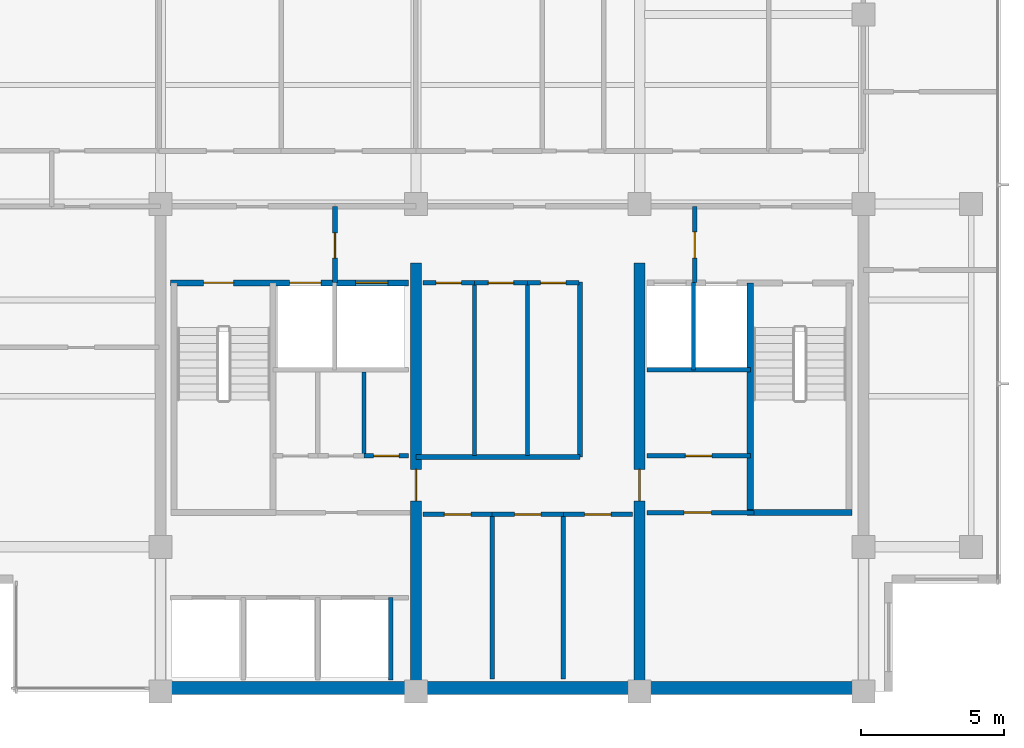
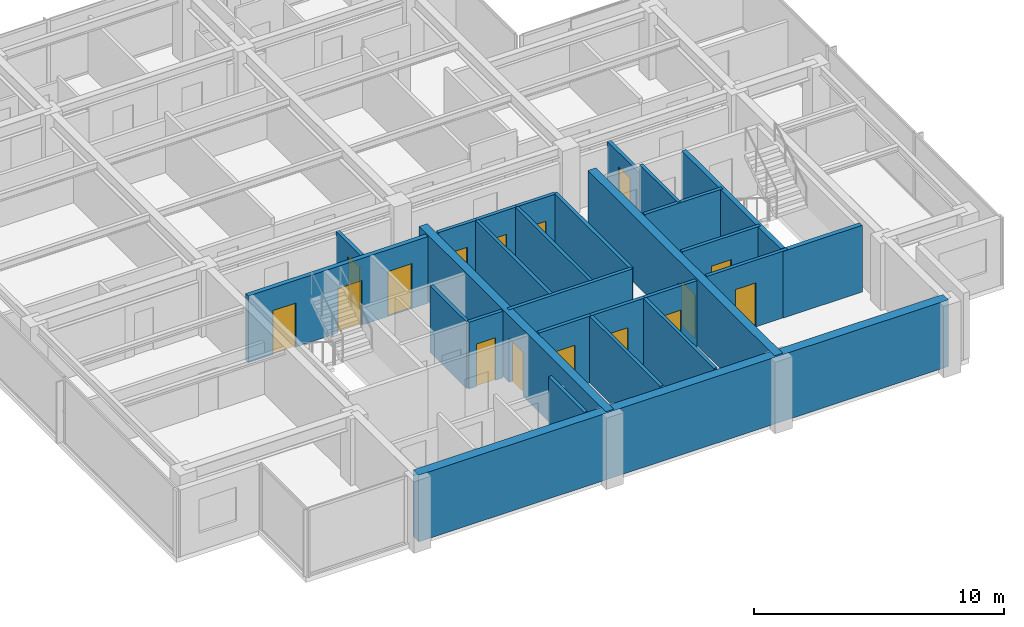
# One storey, part 6 of 12: 27 walls, 16 doors, 16 openings.
"""IFC4 building model written with IfcOpenShell, lengths in metres."""

from ifc_helpers import new_model, si_unit, direction, frame, frame_2d, origin, place, context, subcontext, project, spatial, rectangle, extrude, material, layer, layer_set, type_object, element, fill, save


model = new_model("IFC4")

# Units and contexts
model_context = context("Model", 3, precision=1e-05, world=origin(), true_north=direction((0.0, 1.0)))
body_context = subcontext(model_context, "Body", "Model", "MODEL_VIEW")
ifc_project = project(units=[si_unit("LENGTHUNIT", "METRE"), si_unit("AREAUNIT", "SQUARE_METRE"), si_unit("VOLUMEUNIT", "CUBIC_METRE"), si_unit("PLANEANGLEUNIT", "RADIAN"), si_unit("MASSUNIT", "GRAM", prefix="KILO")], contexts=[model_context])

# Site, building, storey
site_placement = place(None, origin())
site = spatial("IfcSite", under=ifc_project, at=site_placement, CompositionType="ELEMENT")
building_placement = place(site_placement, origin())
building = spatial("IfcBuilding", under=site, at=building_placement, Name="Qalmaran Belvedere Hotel", CompositionType="ELEMENT")
storey_placement = place(building_placement, frame((0.0, 0.0, 252.89990234375)))
storey = spatial("IfcBuildingStorey", under=building, at=storey_placement, Name="L65", CompositionType="ELEMENT", Elevation=252.89990234375)

# Wall, opening, door
ifc_material_1 = material(Name="Concrete C50/60", Category="concrete")
ifc_layer_1 = layer(ifc_material_1, 0.3798828125, Name="Concrete C50/60")
ifc_layer_set_1 = layer_set([ifc_layer_1], Name="Concrete C50/60")
wall_type_1 = type_object("IfcWallType", Name="WL-CORE-380-C50", PredefinedType="SHEAR", material=ifc_layer_set_1)
wall_1_placement = place(storey_placement, frame((29.199951171875, 3.5, 0.0), z_axis=(0.0, 0.0, 1.0), x_axis=(0.0, 1.0, 0.0)))
wall_1 = element("IfcWall", 1, at=wall_1_placement, inside=storey, type_object=wall_type_1, Name="L65 Core West Spine Shear Wall", PredefinedType="SHEAR", context=body_context, shape_type="SweptSolid", body=[
    extrude(rectangle(XDim=14.949951171875, YDim=0.3798828125, at=frame_2d((7.47509765625, 0.0))), origin(), (0.0, 0.0, 1.0), 3.260009765625),
])
opening_1_placement = place(wall_1_placement, frame((7.75, 0.0, 0.0), z_axis=(0.0, 0.0, 1.0), x_axis=(-1.0, 0.0, 0.0)))
opening_1 = element("IfcOpeningElement", 2, at=opening_1_placement, cuts=wall_1, Name="Opening FD90", PredefinedType="OPENING", context=body_context, shape_type="SweptSolid", body=[
    extrude(rectangle(XDim=1.10009765625, YDim=2.14990234375, at=frame_2d((0.550048828125, 1.074951171875))), frame((0.0, 0.199951171875, 0.0), z_axis=(0.0, -1.0, 0.0), x_axis=(1.0, 0.0, 0.0)), (0.0, 0.0, 1.0), 0.39990234375),
])
ifc_material_2 = material(Name="Steel S355JR", Category="steel")
door_type_1 = type_object("IfcDoorType", Name="DR-FD90-1100X2150", OperationType="NOTDEFINED", PredefinedType="DOOR", material=ifc_material_2)
door_1_placement = place(opening_1_placement, origin())
door_1 = element("IfcDoor", 3, at=door_1_placement, inside=storey, type_object=door_type_1, Name="L65 Core West Cross-Lobby Door", OperationType="SINGLE_SWING_LEFT", OverallHeight=2.14990234375, OverallWidth=1.10009765625, PredefinedType="DOOR", context=body_context, shape_type="SweptSolid", body=[
    extrude(rectangle(XDim=1.10009765625, YDim=2.14990234375, at=frame_2d((0.550048828125, 1.074951171875))), frame((0.0, 0.02490234375, 0.0), z_axis=(0.0, -1.0, 0.0), x_axis=(1.0, 0.0, 0.0)), (0.0, 0.0, 1.0), 0.050048828125),
])
fill(opening_1, door_1)

wall_2_placement = place(storey_placement, frame((37.0, 3.5, 0.0), z_axis=(0.0, 0.0, 1.0), x_axis=(0.0, 1.0, 0.0)))
wall_2 = element("IfcWall", 4, at=wall_2_placement, inside=storey, type_object=wall_type_1, Name="L65 Core East Spine Shear Wall", PredefinedType="SHEAR", context=body_context, shape_type="SweptSolid", body=[
    extrude(rectangle(XDim=14.949951171875, YDim=0.3798828125, at=frame_2d((7.47509765625, 0.0))), origin(), (0.0, 0.0, 1.0), 3.260009765625),
])
opening_2_placement = place(wall_2_placement, frame((6.64990234375, 0.0, 0.0)))
opening_2 = element("IfcOpeningElement", 5, at=opening_2_placement, cuts=wall_2, Name="Opening FD90", PredefinedType="OPENING", context=body_context, shape_type="SweptSolid", body=[
    extrude(rectangle(XDim=1.10009765625, YDim=2.14990234375, at=frame_2d((0.550048828125, 1.074951171875))), frame((0.0, 0.199951171875, 0.0), z_axis=(0.0, -1.0, 0.0), x_axis=(1.0, 0.0, 0.0)), (0.0, 0.0, 1.0), 0.39990234375),
])
door_2_placement = place(opening_2_placement, origin())
door_2 = element("IfcDoor", 6, at=door_2_placement, inside=storey, type_object=door_type_1, Name="L65 Core East Cross-Lobby Door", OperationType="SINGLE_SWING_RIGHT", OverallHeight=2.14990234375, OverallWidth=1.10009765625, PredefinedType="DOOR", context=body_context, shape_type="SweptSolid", body=[
    extrude(rectangle(XDim=1.10009765625, YDim=2.14990234375, at=frame_2d((0.550048828125, 1.074951171875))), frame((0.0, 0.02490234375, 0.0), z_axis=(0.0, -1.0, 0.0), x_axis=(1.0, 0.0, 0.0)), (0.0, 0.0, 1.0), 0.050048828125),
])
fill(opening_2, door_2)

# Walls
ifc_layer_2 = layer(ifc_material_1, 0.43994140625, Name="Concrete C50/60")
ifc_layer_set_2 = layer_set([ifc_layer_2], Name="Concrete C50/60")
wall_type_2 = type_object("IfcWallType", Name="WL-CORES-440-EXT", PredefinedType="SHEAR", material=ifc_layer_set_2)
wall_3_placement = place(storey_placement, frame((20.300048828125, 3.6298828125, 0.0), z_axis=(0.0, 0.0, 1.0), x_axis=(1.0, 0.0, 0.0)))
element("IfcWall", 7, at=wall_3_placement, inside=storey, type_object=wall_type_2, Name="L65 South Core Shear Wall", PredefinedType="SHEAR", context=body_context, shape_type="SweptSolid", body=[
    extrude(rectangle(XDim=24.5, YDim=0.43994140625, at=frame_2d((12.25, 0.0))), origin(), (0.0, 0.0, 1.0), 3.260009765625),
])
ifc_material_3 = material(Name="Gypsum Stud Partition")
ifc_layer_3 = layer(ifc_material_3, 0.14990234375, Name="Gypsum Stud Partition")
ifc_layer_set_3 = layer_set([ifc_layer_3], Name="Gypsum Stud Partition")
wall_type_3 = type_object("IfcWallType", Name="WL-INT-150-EI120", PredefinedType="PARTITIONING", material=ifc_layer_set_3)
wall_4_placement = place(storey_placement, frame((38.8798828125, 14.719970703125, 0.0), z_axis=(0.0, 0.0, 1.0), x_axis=(0.0, 1.0, 0.0)))
element("IfcWall", 8, at=wall_4_placement, inside=storey, type_object=wall_type_3, Name="L65 Partition WL-FF2M-L65", PredefinedType="PARTITIONING", context=body_context, shape_type="SweptSolid", body=[
    extrude(rectangle(XDim=3.0400390625, YDim=0.14990234375, at=frame_2d((1.52001953125, 0.0))), origin(), (0.0, 0.0, 1.0), 3.260009765625),
])
wall_5_placement = place(storey_placement, frame((28.320068359375, 3.89990234375, 0.0), z_axis=(0.0, 0.0, 1.0), x_axis=(0.0, 1.0, 0.0)))
element("IfcWall", 9, at=wall_5_placement, inside=storey, type_object=wall_type_3, Name="L65 Partition WL-POM3-L65", PredefinedType="PARTITIONING", context=body_context, shape_type="SweptSolid", body=[
    extrude(rectangle(XDim=2.880126953125, YDim=0.14990234375, at=frame_2d((1.43994140625, 0.0))), origin(), (0.0, 0.0, 1.0), 3.260009765625),
])
ifc_layer_4 = layer(ifc_material_3, 0.14990234375, Name="Gypsum Stud Partition")
ifc_layer_set_4 = layer_set([ifc_layer_4], Name="Gypsum Stud Partition")
wall_type_4 = type_object("IfcWallType", Name="WL-INT-150-EI60", PredefinedType="PARTITIONING", material=ifc_layer_set_4)
wall_6_placement = place(storey_placement, frame((27.38916015625, 11.719970703125, 0.0), z_axis=(0.0, 0.0, 1.0), x_axis=(0.0, 1.0, 0.0)))
element("IfcWall", 10, at=wall_6_placement, inside=storey, type_object=wall_type_4, Name="L65 Partition WL-L65-KWV2", PredefinedType="PARTITIONING", context=body_context, shape_type="SweptSolid", body=[
    extrude(rectangle(XDim=2.929931640625, YDim=0.14990234375, at=frame_2d((1.46484375, 0.0))), origin(), (0.0, 0.0, 1.0), 3.260009765625),
])
for number, where, z_axis, x_axis, name in (
    (11, (31.85888671875, 3.949951171875, 0.0), (0.0, 0.0, 1.0), (0.0, 1.0, 0.0), "L65 Partition WL-L65-KPLV1"),
    (12, (34.341064453125, 3.949951171875, 0.0), (0.0, 0.0, 1.0), (0.0, 1.0, 0.0), "L65 Partition WL-L65-KPLV2"),
):
    element("IfcWall", number, at=place(storey_placement, frame(where, z_axis=z_axis, x_axis=x_axis)), inside=storey, type_object=wall_type_4, Name=name, PredefinedType="PARTITIONING", context=body_context, shape_type="SweptSolid", body=[
        extrude(rectangle(XDim=5.72998046875, YDim=0.14990234375, at=frame_2d((2.864990234375, 0.0))), origin(), (0.0, 0.0, 1.0), 3.260009765625),
    ])
for number, where, z_axis, x_axis, name in (
    (13, (31.241943359375, 11.739990234375, 0.0), (0.0, 0.0, 1.0), (0.0, 1.0, 0.0), "L65 Partition WL-L65-KPMV1"),
    (14, (33.088134765625, 11.739990234375, 0.0), (0.0, 0.0, 1.0), (0.0, 1.0, 0.0), "L65 Partition WL-L65-KPMV2"),
):
    element("IfcWall", number, at=place(storey_placement, frame(where, z_axis=z_axis, x_axis=x_axis)), inside=storey, type_object=wall_type_4, Name=name, PredefinedType="PARTITIONING", context=body_context, shape_type="SweptSolid", body=[
        extrude(rectangle(XDim=6.010009765625, YDim=0.14990234375, at=frame_2d((3.0048828125, 0.0))), origin(), (0.0, 0.0, 1.0), 3.260009765625),
    ])

# Wall, opening, door
ifc_layer_5 = layer(ifc_material_3, 0.159912109375, Name="Gypsum Stud Partition")
ifc_layer_set_5 = layer_set([ifc_layer_5], Name="Gypsum Stud Partition")
wall_type_5 = type_object("IfcWallType", Name="WL-INT-160-EI120", PredefinedType="PARTITIONING", material=ifc_layer_set_5)
wall_7_placement = place(storey_placement, frame((26.3798828125, 17.760009765625, 0.0), z_axis=(0.0, 0.0, 1.0), x_axis=(0.0, 1.0, 0.0)))
wall_7 = element("IfcWall", 15, at=wall_7_placement, inside=storey, type_object=wall_type_5, Name="L65 Partition WL-FFSV1-L65", PredefinedType="PARTITIONING", context=body_context, shape_type="SweptSolid", body=[
    extrude(rectangle(XDim=2.659912109375, YDim=0.159912109375, at=frame_2d((1.330078125, 0.0))), origin(), (0.0, 0.0, 1.0), 2.781982421875),
])
opening_3_placement = place(wall_7_placement, frame((0.85009765625, 0.0, 0.0)))
opening_3 = element("IfcOpeningElement", 16, at=opening_3_placement, cuts=wall_7, Name="Opening FD60B", PredefinedType="OPENING", context=body_context, shape_type="SweptSolid", body=[
    extrude(rectangle(XDim=0.8798828125, YDim=2.080078125, at=frame_2d((0.43994140625, 1.0400390625))), frame((0.0, 0.08984375, 0.0), z_axis=(0.0, -1.0, 0.0), x_axis=(1.0, 0.0, 0.0)), (0.0, 0.0, 1.0), 0.179931640625),
])
door_type_2 = type_object("IfcDoorType", Name="DR-FD60B-880X2080", OperationType="NOTDEFINED", PredefinedType="DOOR", material=ifc_material_2)
door_3_placement = place(opening_3_placement, origin())
door_3 = element("IfcDoor", 17, at=door_3_placement, inside=storey, type_object=door_type_2, Name="L65 Service Lobby West Door", OperationType="SINGLE_SWING_LEFT", OverallHeight=2.080078125, OverallWidth=0.8798828125, PredefinedType="DOOR", context=body_context, shape_type="SweptSolid", body=[
    extrude(rectangle(XDim=0.8798828125, YDim=2.080078125, at=frame_2d((0.43994140625, 1.0400390625))), frame((0.0, 0.02490234375, 0.0), z_axis=(0.0, -1.0, 0.0), x_axis=(1.0, 0.0, 0.0)), (0.0, 0.0, 1.0), 0.050048828125),
])
fill(opening_3, door_3)

wall_8_placement = place(storey_placement, frame((38.919921875, 17.760009765625, 0.0), z_axis=(0.0, 0.0, 1.0), x_axis=(0.0, 1.0, 0.0)))
wall_8 = element("IfcWall", 18, at=wall_8_placement, inside=storey, type_object=wall_type_5, Name="L65 Partition WL-FFSV2-L65", PredefinedType="PARTITIONING", context=body_context, shape_type="SweptSolid", body=[
    extrude(rectangle(XDim=2.659912109375, YDim=0.159912109375, at=frame_2d((1.330078125, 0.0))), origin(), (0.0, 0.0, 1.0), 2.781982421875),
])
opening_4_placement = place(wall_8_placement, frame((1.77001953125, 0.0, 0.0), z_axis=(0.0, 0.0, 1.0), x_axis=(-1.0, 0.0, 0.0)))
opening_4 = element("IfcOpeningElement", 19, at=opening_4_placement, cuts=wall_8, Name="Opening FD60S1", PredefinedType="OPENING", context=body_context, shape_type="SweptSolid", body=[
    extrude(rectangle(XDim=0.919921875, YDim=2.080078125, at=frame_2d((0.4599609375, 1.0400390625))), frame((0.0, 0.08984375, 0.0), z_axis=(0.0, -1.0, 0.0), x_axis=(1.0, 0.0, 0.0)), (0.0, 0.0, 1.0), 0.179931640625),
])
ifc_material_4 = material(Name="Engineered Oak Veneer")
door_type_3 = type_object("IfcDoorType", Name="DR-FD60S-920X2080", OperationType="NOTDEFINED", PredefinedType="DOOR", material=ifc_material_4)
door_4_placement = place(opening_4_placement, origin())
door_4 = element("IfcDoor", 20, at=door_4_placement, inside=storey, type_object=door_type_3, Name="L65 Service Lobby East Door", OperationType="SINGLE_SWING_RIGHT", OverallHeight=2.080078125, OverallWidth=0.919921875, PredefinedType="DOOR", context=body_context, shape_type="SweptSolid", body=[
    extrude(rectangle(XDim=0.919921875, YDim=2.080078125, at=frame_2d((0.4599609375, 1.0400390625))), frame((0.0, 0.02490234375, 0.0), z_axis=(0.0, -1.0, 0.0), x_axis=(1.0, 0.0, 0.0)), (0.0, 0.0, 1.0), 0.050048828125),
])
fill(opening_4, door_4)

# Wall
wall_9_placement = place(storey_placement, frame((37.25, 14.719970703125, 0.0), z_axis=(0.0, 0.0, 1.0), x_axis=(1.0, 0.0, 0.0)))
element("IfcWall", 21, at=wall_9_placement, inside=storey, type_object=wall_type_5, Name="L65 Partition WL-FF2S-L65", PredefinedType="PARTITIONING", context=body_context, shape_type="SweptSolid", body=[
    extrude(rectangle(XDim=3.610107421875, YDim=0.159912109375, at=frame_2d((1.80517578125, 0.0))), origin(), (0.0, 0.0, 1.0), 3.260009765625),
])

# Wall, opening, door
ifc_layer_6 = layer(ifc_material_3, 0.159912109375, Name="Gypsum Stud Partition")
ifc_layer_set_6 = layer_set([ifc_layer_6], Name="Gypsum Stud Partition")
wall_type_6 = type_object("IfcWallType", Name="WL-INT-160-EI60", PredefinedType="PARTITIONING", material=ifc_layer_set_6)
wall_10_placement = place(storey_placement, frame((27.38916015625, 11.719970703125, 0.0), z_axis=(0.0, 0.0, 1.0), x_axis=(1.0, 0.0, 0.0)))
wall_10 = element("IfcWall", 22, at=wall_10_placement, inside=storey, type_object=wall_type_6, Name="L65 Partition WL-L65-KWE3", PredefinedType="PARTITIONING", context=body_context, shape_type="SweptSolid", body=[
    extrude(rectangle(XDim=1.560791015625, YDim=0.159912109375, at=frame_2d((0.7802734375, 0.0))), origin(), (0.0, 0.0, 1.0), 3.260009765625),
])
opening_5_placement = place(wall_10_placement, frame((0.340576171875, 0.0, 0.0)))
opening_5 = element("IfcOpeningElement", 23, at=opening_5_placement, cuts=wall_10, Name="Opening FD60B", PredefinedType="OPENING", context=body_context, shape_type="SweptSolid", body=[
    extrude(rectangle(XDim=0.8798828125, YDim=2.080078125, at=frame_2d((0.43994140625, 1.0400390625))), frame((0.0, 0.08984375, 0.0), z_axis=(0.0, -1.0, 0.0), x_axis=(1.0, 0.0, 0.0)), (0.0, 0.0, 1.0), 0.179931640625),
])
door_5_placement = place(opening_5_placement, origin())
door_5 = element("IfcDoor", 24, at=door_5_placement, inside=storey, type_object=door_type_2, Name="L65 Telecom and IT Room Door", OperationType="SINGLE_SWING_RIGHT", OverallHeight=2.080078125, OverallWidth=0.8798828125, PredefinedType="DOOR", context=body_context, shape_type="SweptSolid", body=[
    extrude(rectangle(XDim=0.8798828125, YDim=2.080078125, at=frame_2d((0.43994140625, 1.0400390625))), frame((0.0, 0.02490234375, 0.0), z_axis=(0.0, -1.0, 0.0), x_axis=(1.0, 0.0, 0.0)), (0.0, 0.0, 1.0), 0.050048828125),
])
fill(opening_5, door_5)

wall_11_placement = place(storey_placement, frame((37.25, 11.719970703125, 0.0), z_axis=(0.0, 0.0, 1.0), x_axis=(1.0, 0.0, 0.0)))
wall_11 = element("IfcWall", 25, at=wall_11_placement, inside=storey, type_object=wall_type_6, Name="L65 Partition WL-L65-KEE1", PredefinedType="PARTITIONING", context=body_context, shape_type="SweptSolid", body=[
    extrude(rectangle(XDim=3.610107421875, YDim=0.159912109375, at=frame_2d((1.80517578125, 0.0))), origin(), (0.0, 0.0, 1.0), 3.260009765625),
])
opening_6_placement = place(wall_11_placement, frame((1.344970703125, 0.0, 0.0)))
opening_6 = element("IfcOpeningElement", 26, at=opening_6_placement, cuts=wall_11, Name="Opening FD60S1", PredefinedType="OPENING", context=body_context, shape_type="SweptSolid", body=[
    extrude(rectangle(XDim=0.919921875, YDim=2.080078125, at=frame_2d((0.4599609375, 1.0400390625))), frame((0.0, 0.08984375, 0.0), z_axis=(0.0, -1.0, 0.0), x_axis=(1.0, 0.0, 0.0)), (0.0, 0.0, 1.0), 0.179931640625),
])
door_6_placement = place(opening_6_placement, origin())
door_6 = element("IfcDoor", 27, at=door_6_placement, inside=storey, type_object=door_type_3, Name="L65 Guest Ice and Beverage Pantry Door", OperationType="SINGLE_SWING_LEFT", OverallHeight=2.080078125, OverallWidth=0.919921875, PredefinedType="DOOR", context=body_context, shape_type="SweptSolid", body=[
    extrude(rectangle(XDim=0.919921875, YDim=2.080078125, at=frame_2d((0.4599609375, 1.0400390625))), frame((0.0, 0.02490234375, 0.0), z_axis=(0.0, -1.0, 0.0), x_axis=(1.0, 0.0, 0.0)), (0.0, 0.0, 1.0), 0.050048828125),
])
fill(opening_6, door_6)

wall_12_placement = place(storey_placement, frame((37.25, 9.739990234375, 0.0), z_axis=(0.0, 0.0, 1.0), x_axis=(1.0, 0.0, 0.0)))
wall_12 = element("IfcWall", 28, at=wall_12_placement, inside=storey, type_object=wall_type_6, Name="L65 Partition WL-PHFR-L65", PredefinedType="PARTITIONING", context=body_context, shape_type="SweptSolid", body=[
    extrude(rectangle(XDim=3.72998046875, YDim=0.159912109375, at=frame_2d((1.864990234375, 0.0))), origin(), (0.0, 0.0, 1.0), 3.260009765625),
])
opening_7_placement = place(wall_12_placement, frame((2.25, 0.0, 0.0), z_axis=(0.0, 0.0, 1.0), x_axis=(-1.0, 0.0, 0.0)))
opening_7 = element("IfcOpeningElement", 29, at=opening_7_placement, cuts=wall_12, Name="Opening FD60", PredefinedType="OPENING", context=body_context, shape_type="SweptSolid", body=[
    extrude(rectangle(XDim=0.949951171875, YDim=2.14990234375, at=frame_2d((0.47509765625, 1.074951171875))), frame((0.0, 0.08984375, 0.0), z_axis=(0.0, -1.0, 0.0), x_axis=(1.0, 0.0, 0.0)), (0.0, 0.0, 1.0), 0.179931640625),
])
door_type_4 = type_object("IfcDoorType", Name="DR-FD60-950X2150", OperationType="NOTDEFINED", PredefinedType="DOOR", material=ifc_material_4)
door_7_placement = place(opening_7_placement, origin())
door_7 = element("IfcDoor", 30, at=door_7_placement, inside=storey, type_object=door_type_4, Name="L65 Freed PH Room Door", OperationType="SINGLE_SWING_LEFT", OverallHeight=2.14990234375, OverallWidth=0.949951171875, PredefinedType="DOOR", context=body_context, shape_type="SweptSolid", body=[
    extrude(rectangle(XDim=0.949951171875, YDim=2.14990234375, at=frame_2d((0.47509765625, 1.074951171875))), frame((0.0, 0.02490234375, 0.0), z_axis=(0.0, -1.0, 0.0), x_axis=(1.0, 0.0, 0.0)), (0.0, 0.0, 1.0), 0.050048828125),
])
fill(opening_7, door_7)

# Wall
wall_13_placement = place(storey_placement, frame((34.919921875, 11.679931640625, 0.0), z_axis=(0.0, 0.0, 1.0), x_axis=(0.0, 1.0, 0.0)))
element("IfcWall", 31, at=wall_13_placement, inside=storey, type_object=wall_type_6, Name="L65 Partition WL-CLLV-L65", PredefinedType="PARTITIONING", context=body_context, shape_type="SweptSolid", body=[
    extrude(rectangle(XDim=6.10009765625, YDim=0.159912109375, at=frame_2d((3.050048828125, 0.0))), origin(), (0.0, 0.0, 1.0), 3.260009765625),
])

# Wall, opening, door
wall_14_placement = place(storey_placement, frame((29.449951171875, 9.679931640625, 0.0), z_axis=(0.0, 0.0, 1.0), x_axis=(1.0, 0.0, 0.0)))
wall_14 = element("IfcWall", 32, at=wall_14_placement, inside=storey, type_object=wall_type_6, Name="L65 Partition WL-L65-KPLE1", PredefinedType="PARTITIONING", context=body_context, shape_type="SweptSolid", body=[
    extrude(rectangle(XDim=2.408935546875, YDim=0.159912109375, at=frame_2d((1.20458984375, 0.0))), origin(), (0.0, 0.0, 1.0), 3.260009765625),
])
opening_8_placement = place(wall_14_placement, frame((1.664306640625, 0.0, 0.0), z_axis=(0.0, 0.0, 1.0), x_axis=(-1.0, 0.0, 0.0)))
opening_8 = element("IfcOpeningElement", 33, at=opening_8_placement, cuts=wall_14, Name="Opening FD60S1", PredefinedType="OPENING", context=body_context, shape_type="SweptSolid", body=[
    extrude(rectangle(XDim=0.919921875, YDim=2.080078125, at=frame_2d((0.4599609375, 1.0400390625))), frame((0.0, 0.08984375, 0.0), z_axis=(0.0, -1.0, 0.0), x_axis=(1.0, 0.0, 0.0)), (0.0, 0.0, 1.0), 0.179931640625),
])
door_8_placement = place(opening_8_placement, origin())
door_8 = element("IfcDoor", 34, at=door_8_placement, inside=storey, type_object=door_type_3, Name="L65 Housekeeping and Linen Room Door", OperationType="SINGLE_SWING_RIGHT", OverallHeight=2.080078125, OverallWidth=0.919921875, PredefinedType="DOOR", context=body_context, shape_type="SweptSolid", body=[
    extrude(rectangle(XDim=0.919921875, YDim=2.080078125, at=frame_2d((0.4599609375, 1.0400390625))), frame((0.0, 0.02490234375, 0.0), z_axis=(0.0, -1.0, 0.0), x_axis=(1.0, 0.0, 0.0)), (0.0, 0.0, 1.0), 0.050048828125),
])
fill(opening_8, door_8)

wall_15_placement = place(storey_placement, frame((31.85888671875, 9.679931640625, 0.0), z_axis=(0.0, 0.0, 1.0), x_axis=(1.0, 0.0, 0.0)))
wall_15 = element("IfcWall", 35, at=wall_15_placement, inside=storey, type_object=wall_type_6, Name="L65 Partition WL-L65-KPLE2", PredefinedType="PARTITIONING", context=body_context, shape_type="SweptSolid", body=[
    extrude(rectangle(XDim=2.482177734375, YDim=0.159912109375, at=frame_2d((1.2412109375, 0.0))), origin(), (0.0, 0.0, 1.0), 3.260009765625),
])
opening_9_placement = place(wall_15_placement, frame((1.700927734375, 0.0, 0.0), z_axis=(0.0, 0.0, 1.0), x_axis=(-1.0, 0.0, 0.0)))
opening_9 = element("IfcOpeningElement", 36, at=opening_9_placement, cuts=wall_15, Name="Opening FD60S1", PredefinedType="OPENING", context=body_context, shape_type="SweptSolid", body=[
    extrude(rectangle(XDim=0.919921875, YDim=2.080078125, at=frame_2d((0.4599609375, 1.0400390625))), frame((0.0, 0.08984375, 0.0), z_axis=(0.0, -1.0, 0.0), x_axis=(1.0, 0.0, 0.0)), (0.0, 0.0, 1.0), 0.179931640625),
])
door_9_placement = place(opening_9_placement, origin())
door_9 = element("IfcDoor", 37, at=door_9_placement, inside=storey, type_object=door_type_3, Name="L65 Hotel Butler Service Pantry Door", OperationType="SINGLE_SWING_LEFT", OverallHeight=2.080078125, OverallWidth=0.919921875, PredefinedType="DOOR", context=body_context, shape_type="SweptSolid", body=[
    extrude(rectangle(XDim=0.919921875, YDim=2.080078125, at=frame_2d((0.4599609375, 1.0400390625))), frame((0.0, 0.02490234375, 0.0), z_axis=(0.0, -1.0, 0.0), x_axis=(1.0, 0.0, 0.0)), (0.0, 0.0, 1.0), 0.050048828125),
])
fill(opening_9, door_9)

wall_16_placement = place(storey_placement, frame((34.341064453125, 9.679931640625, 0.0), z_axis=(0.0, 0.0, 1.0), x_axis=(1.0, 0.0, 0.0)))
wall_16 = element("IfcWall", 38, at=wall_16_placement, inside=storey, type_object=wall_type_6, Name="L65 Partition WL-L65-KPLE3", PredefinedType="PARTITIONING", context=body_context, shape_type="SweptSolid", body=[
    extrude(rectangle(XDim=2.408935546875, YDim=0.159912109375, at=frame_2d((1.20458984375, 0.0))), origin(), (0.0, 0.0, 1.0), 3.260009765625),
])
opening_10_placement = place(wall_16_placement, frame((1.664306640625, 0.0, 0.0), z_axis=(0.0, 0.0, 1.0), x_axis=(-1.0, 0.0, 0.0)))
opening_10 = element("IfcOpeningElement", 39, at=opening_10_placement, cuts=wall_16, Name="Opening FD60S1", PredefinedType="OPENING", context=body_context, shape_type="SweptSolid", body=[
    extrude(rectangle(XDim=0.919921875, YDim=2.080078125, at=frame_2d((0.4599609375, 1.0400390625))), frame((0.0, 0.08984375, 0.0), z_axis=(0.0, -1.0, 0.0), x_axis=(1.0, 0.0, 0.0)), (0.0, 0.0, 1.0), 0.179931640625),
])
door_10_placement = place(opening_10_placement, origin())
door_10 = element("IfcDoor", 40, at=door_10_placement, inside=storey, type_object=door_type_3, Name="L65 Guest Valet Supply Store Door", OperationType="SINGLE_SWING_RIGHT", OverallHeight=2.080078125, OverallWidth=0.919921875, PredefinedType="DOOR", context=body_context, shape_type="SweptSolid", body=[
    extrude(rectangle(XDim=0.919921875, YDim=2.080078125, at=frame_2d((0.4599609375, 1.0400390625))), frame((0.0, 0.02490234375, 0.0), z_axis=(0.0, -1.0, 0.0), x_axis=(1.0, 0.0, 0.0)), (0.0, 0.0, 1.0), 0.050048828125),
])
fill(opening_10, door_10)

# Wall
wall_17_placement = place(storey_placement, frame((29.199951171875, 11.679931640625, 0.0), z_axis=(0.0, 0.0, 1.0), x_axis=(1.0, 0.0, 0.0)))
element("IfcWall", 41, at=wall_17_placement, inside=storey, type_object=wall_type_6, Name="L65 Partition WL-PMFS-L65", PredefinedType="PARTITIONING", context=body_context, shape_type="SweptSolid", body=[
    extrude(rectangle(XDim=5.719970703125, YDim=0.159912109375, at=frame_2d((2.85986328125, 0.0))), origin(), (0.0, 0.0, 1.0), 3.260009765625),
])

# Wall, opening, door
wall_18_placement = place(storey_placement, frame((29.449951171875, 17.75, 0.0), z_axis=(0.0, 0.0, 1.0), x_axis=(1.0, 0.0, 0.0)))
wall_18 = element("IfcWall", 42, at=wall_18_placement, inside=storey, type_object=wall_type_6, Name="L65 Partition WL-L65-KPME1", PredefinedType="PARTITIONING", context=body_context, shape_type="SweptSolid", body=[
    extrude(rectangle(XDim=1.7919921875, YDim=0.159912109375, at=frame_2d((0.89599609375, 0.0))), origin(), (0.0, 0.0, 1.0), 3.260009765625),
])
opening_11_placement = place(wall_18_placement, frame((1.3359375, 0.0, 0.0), z_axis=(0.0, 0.0, 1.0), x_axis=(-1.0, 0.0, 0.0)))
opening_11 = element("IfcOpeningElement", 43, at=opening_11_placement, cuts=wall_18, Name="Opening FD60B", PredefinedType="OPENING", context=body_context, shape_type="SweptSolid", body=[
    extrude(rectangle(XDim=0.8798828125, YDim=2.080078125, at=frame_2d((0.43994140625, 1.0400390625))), frame((0.0, 0.08984375, 0.0), z_axis=(0.0, -1.0, 0.0), x_axis=(1.0, 0.0, 0.0)), (0.0, 0.0, 1.0), 0.179931640625),
])
door_11_placement = place(opening_11_placement, origin())
door_11 = element("IfcDoor", 44, at=door_11_placement, inside=storey, type_object=door_type_2, Name="L65 Executive Butler Pantry Door", OperationType="SINGLE_SWING_LEFT", OverallHeight=2.080078125, OverallWidth=0.8798828125, PredefinedType="DOOR", context=body_context, shape_type="SweptSolid", body=[
    extrude(rectangle(XDim=0.8798828125, YDim=2.080078125, at=frame_2d((0.43994140625, 1.0400390625))), frame((0.0, 0.02490234375, 0.0), z_axis=(0.0, -1.0, 0.0), x_axis=(1.0, 0.0, 0.0)), (0.0, 0.0, 1.0), 0.050048828125),
])
fill(opening_11, door_11)

wall_19_placement = place(storey_placement, frame((31.241943359375, 17.75, 0.0), z_axis=(0.0, 0.0, 1.0), x_axis=(1.0, 0.0, 0.0)))
wall_19 = element("IfcWall", 45, at=wall_19_placement, inside=storey, type_object=wall_type_6, Name="L65 Partition WL-L65-KPME2", PredefinedType="PARTITIONING", context=body_context, shape_type="SweptSolid", body=[
    extrude(rectangle(XDim=1.84619140625, YDim=0.159912109375, at=frame_2d((0.923095703125, 0.0))), origin(), (0.0, 0.0, 1.0), 3.260009765625),
])
opening_12_placement = place(wall_19_placement, frame((1.363037109375, 0.0, 0.0), z_axis=(0.0, 0.0, 1.0), x_axis=(-1.0, 0.0, 0.0)))
opening_12 = element("IfcOpeningElement", 46, at=opening_12_placement, cuts=wall_19, Name="Opening FD60B", PredefinedType="OPENING", context=body_context, shape_type="SweptSolid", body=[
    extrude(rectangle(XDim=0.8798828125, YDim=2.080078125, at=frame_2d((0.43994140625, 1.0400390625))), frame((0.0, 0.08984375, 0.0), z_axis=(0.0, -1.0, 0.0), x_axis=(1.0, 0.0, 0.0)), (0.0, 0.0, 1.0), 0.179931640625),
])
door_12_placement = place(opening_12_placement, origin())
door_12 = element("IfcDoor", 47, at=door_12_placement, inside=storey, type_object=door_type_2, Name="L65 Floor Linen Supply Store Door", OperationType="SINGLE_SWING_RIGHT", OverallHeight=2.080078125, OverallWidth=0.8798828125, PredefinedType="DOOR", context=body_context, shape_type="SweptSolid", body=[
    extrude(rectangle(XDim=0.8798828125, YDim=2.080078125, at=frame_2d((0.43994140625, 1.0400390625))), frame((0.0, 0.02490234375, 0.0), z_axis=(0.0, -1.0, 0.0), x_axis=(1.0, 0.0, 0.0)), (0.0, 0.0, 1.0), 0.050048828125),
])
fill(opening_12, door_12)

wall_20_placement = place(storey_placement, frame((33.088134765625, 17.75, 0.0), z_axis=(0.0, 0.0, 1.0), x_axis=(1.0, 0.0, 0.0)))
wall_20 = element("IfcWall", 48, at=wall_20_placement, inside=storey, type_object=wall_type_6, Name="L65 Partition WL-L65-KPME3", PredefinedType="PARTITIONING", context=body_context, shape_type="SweptSolid", body=[
    extrude(rectangle(XDim=1.791748046875, YDim=0.159912109375, at=frame_2d((0.89599609375, 0.0))), origin(), (0.0, 0.0, 1.0), 3.260009765625),
])
opening_13_placement = place(wall_20_placement, frame((1.3359375, 0.0, 0.0), z_axis=(0.0, 0.0, 1.0), x_axis=(-1.0, 0.0, 0.0)))
opening_13 = element("IfcOpeningElement", 49, at=opening_13_placement, cuts=wall_20, Name="Opening FD60B", PredefinedType="OPENING", context=body_context, shape_type="SweptSolid", body=[
    extrude(rectangle(XDim=0.8798828125, YDim=2.080078125, at=frame_2d((0.43994140625, 1.0400390625))), frame((0.0, 0.08984375, 0.0), z_axis=(0.0, -1.0, 0.0), x_axis=(1.0, 0.0, 0.0)), (0.0, 0.0, 1.0), 0.179931640625),
])
door_13_placement = place(opening_13_placement, origin())
door_13 = element("IfcDoor", 50, at=door_13_placement, inside=storey, type_object=door_type_2, Name="L65 Core Tableware Store Door", OperationType="SINGLE_SWING_LEFT", OverallHeight=2.080078125, OverallWidth=0.8798828125, PredefinedType="DOOR", context=body_context, shape_type="SweptSolid", body=[
    extrude(rectangle(XDim=0.8798828125, YDim=2.080078125, at=frame_2d((0.43994140625, 1.0400390625))), frame((0.0, 0.02490234375, 0.0), z_axis=(0.0, -1.0, 0.0), x_axis=(1.0, 0.0, 0.0)), (0.0, 0.0, 1.0), 0.050048828125),
])
fill(opening_13, door_13)

# Wall, openings, doors
ifc_layer_7 = layer(ifc_material_1, 0.2099609375, Name="Concrete C50/60")
ifc_layer_set_7 = layer_set([ifc_layer_7], Name="Concrete C50/60")
wall_type_7 = type_object("IfcWallType", Name="WL-STAIR-210-C50", PredefinedType="SHEAR", material=ifc_layer_set_7)
wall_21_placement = place(storey_placement, frame((20.64990234375, 17.7548828125, 0.0), z_axis=(0.0, 0.0, 1.0), x_axis=(1.0, 0.0, 0.0)))
wall_21 = element("IfcWall", 51, at=wall_21_placement, inside=storey, type_object=wall_type_7, Name="L65 West Lobby and Stair ST-1 North Bearing Wall", PredefinedType="SHEAR", context=body_context, shape_type="SweptSolid", body=[
    extrude(rectangle(XDim=8.300048828125, YDim=0.2099609375, at=frame_2d((4.14990234375, 0.0))), origin(), (0.0, 0.0, 1.0), 3.260009765625),
])
opening_14_placement = place(wall_21_placement, frame((2.199951171875, 0.0, 0.0), z_axis=(0.0, 0.0, 1.0), x_axis=(-1.0, 0.0, 0.0)))
opening_14 = element("IfcOpeningElement", 52, at=opening_14_placement, cuts=wall_21, Name="Opening FD90S2", PredefinedType="OPENING", context=body_context, shape_type="SweptSolid", body=[
    extrude(rectangle(XDim=1.050048828125, YDim=2.14990234375, at=frame_2d((0.52490234375, 1.074951171875))), frame((0.0, 0.114990234375, 0.0), z_axis=(0.0, -1.0, 0.0), x_axis=(1.0, 0.0, 0.0)), (0.0, 0.0, 1.0), 0.22998046875),
])
opening_15_placement = place(wall_21_placement, frame((4.14990234375, 0.0, 0.0)))
opening_15 = element("IfcOpeningElement", 53, at=opening_15_placement, cuts=wall_21, Name="Opening LD-FF", PredefinedType="OPENING", context=body_context, shape_type="SweptSolid", body=[
    extrude(rectangle(XDim=1.10009765625, YDim=2.179931640625, at=frame_2d((0.550048828125, 1.08984375))), frame((0.0, 0.114990234375, 0.0), z_axis=(0.0, -1.0, 0.0), x_axis=(1.0, 0.0, 0.0)), (0.0, 0.0, 1.0), 0.22998046875),
])
opening_16_placement = place(wall_21_placement, frame((6.449951171875, 0.0, 0.0)))
opening_16 = element("IfcOpeningElement", 54, at=opening_16_placement, cuts=wall_21, Name="Opening LD-SV", PredefinedType="OPENING", context=body_context, shape_type="SweptSolid", body=[
    extrude(rectangle(XDim=1.1201171875, YDim=2.199951171875, at=frame_2d((0.56005859375, 1.10009765625))), frame((0.0, 0.114990234375, 0.0), z_axis=(0.0, -1.0, 0.0), x_axis=(1.0, 0.0, 0.0)), (0.0, 0.0, 1.0), 0.22998046875),
])
door_type_5 = type_object("IfcDoorType", Name="DR-FD90S-1050X2150", OperationType="NOTDEFINED", PredefinedType="DOOR", material=ifc_material_2)
door_14_placement = place(opening_14_placement, origin())
door_14 = element("IfcDoor", 55, at=door_14_placement, inside=storey, type_object=door_type_5, Name="L65 Stair ST-1 Door", OperationType="SINGLE_SWING_LEFT", OverallHeight=2.14990234375, OverallWidth=1.050048828125, PredefinedType="DOOR", context=body_context, shape_type="SweptSolid", body=[
    extrude(rectangle(XDim=1.050048828125, YDim=2.14990234375, at=frame_2d((0.52490234375, 1.074951171875))), frame((0.0, 0.02490234375, 0.0), z_axis=(0.0, -1.0, 0.0), x_axis=(1.0, 0.0, 0.0)), (0.0, 0.0, 1.0), 0.050048828125),
])
fill(opening_14, door_14)
ifc_material_5 = material(Name="Stainless Steel 1.4401", Category="steel")
door_type_6 = type_object("IfcDoorType", Name="DR-LIFT-FF-1100X2180", OperationType="DOUBLE_DOOR_SLIDING", PredefinedType="DOOR", material=ifc_material_5)
door_15_placement = place(opening_15_placement, origin())
door_15 = element("IfcDoor", 56, at=door_15_placement, inside=storey, type_object=door_type_6, Name="L65 FF1 Lift Landing Door", OperationType="DOUBLE_DOOR_SLIDING", OverallHeight=2.179931640625, OverallWidth=1.10009765625, PredefinedType="DOOR", context=body_context, shape_type="SweptSolid", body=[
    extrude(rectangle(XDim=1.10009765625, YDim=2.179931640625, at=frame_2d((0.550048828125, 1.08984375))), frame((0.0, 0.02490234375, 0.0), z_axis=(0.0, -1.0, 0.0), x_axis=(1.0, 0.0, 0.0)), (0.0, 0.0, 1.0), 0.050048828125),
])
fill(opening_15, door_15)
door_type_7 = type_object("IfcDoorType", Name="DR-LIFT-SV-1120X2200", OperationType="DOUBLE_DOOR_SLIDING", PredefinedType="DOOR", material=ifc_material_5)
door_16_placement = place(opening_16_placement, origin())
door_16 = element("IfcDoor", 57, at=door_16_placement, inside=storey, type_object=door_type_7, Name="L65 SV1 Lift Landing Door", OperationType="DOUBLE_DOOR_SLIDING", OverallHeight=2.199951171875, OverallWidth=1.1201171875, PredefinedType="DOOR", context=body_context, shape_type="SweptSolid", body=[
    extrude(rectangle(XDim=1.1201171875, YDim=2.199951171875, at=frame_2d((0.56005859375, 1.10009765625))), frame((0.0, 0.02490234375, 0.0), z_axis=(0.0, -1.0, 0.0), x_axis=(1.0, 0.0, 0.0)), (0.0, 0.0, 1.0), 0.050048828125),
])
fill(opening_16, door_16)

# Walls
wall_22_placement = place(storey_placement, frame((40.85498046875, 9.7451171875, 0.0), z_axis=(0.0, 0.0, 1.0), x_axis=(0.0, 1.0, 0.0)))
element("IfcWall", 58, at=wall_22_placement, inside=storey, type_object=wall_type_7, Name="L65 Stair ST-2 West Bearing Wall", PredefinedType="SHEAR", context=body_context, shape_type="SweptSolid", body=[
    extrude(rectangle(XDim=8.009765625, YDim=0.2099609375, at=frame_2d((4.0048828125, 0.0))), origin(), (0.0, 0.0, 1.0), 3.260009765625),
])
wall_23_placement = place(storey_placement, frame((40.75, 9.7451171875, 0.0), z_axis=(0.0, 0.0, 1.0), x_axis=(1.0, 0.0, 0.0)))
element("IfcWall", 59, at=wall_23_placement, inside=storey, type_object=wall_type_7, Name="L65 Stair ST-2 South Bearing Wall", PredefinedType="SHEAR", context=body_context, shape_type="SweptSolid", body=[
    extrude(rectangle(XDim=3.659912109375, YDim=0.2099609375, at=frame_2d((1.830078125, 0.0))), origin(), (0.0, 0.0, 1.0), 3.260009765625),
])

save(model, "model.ifc")
